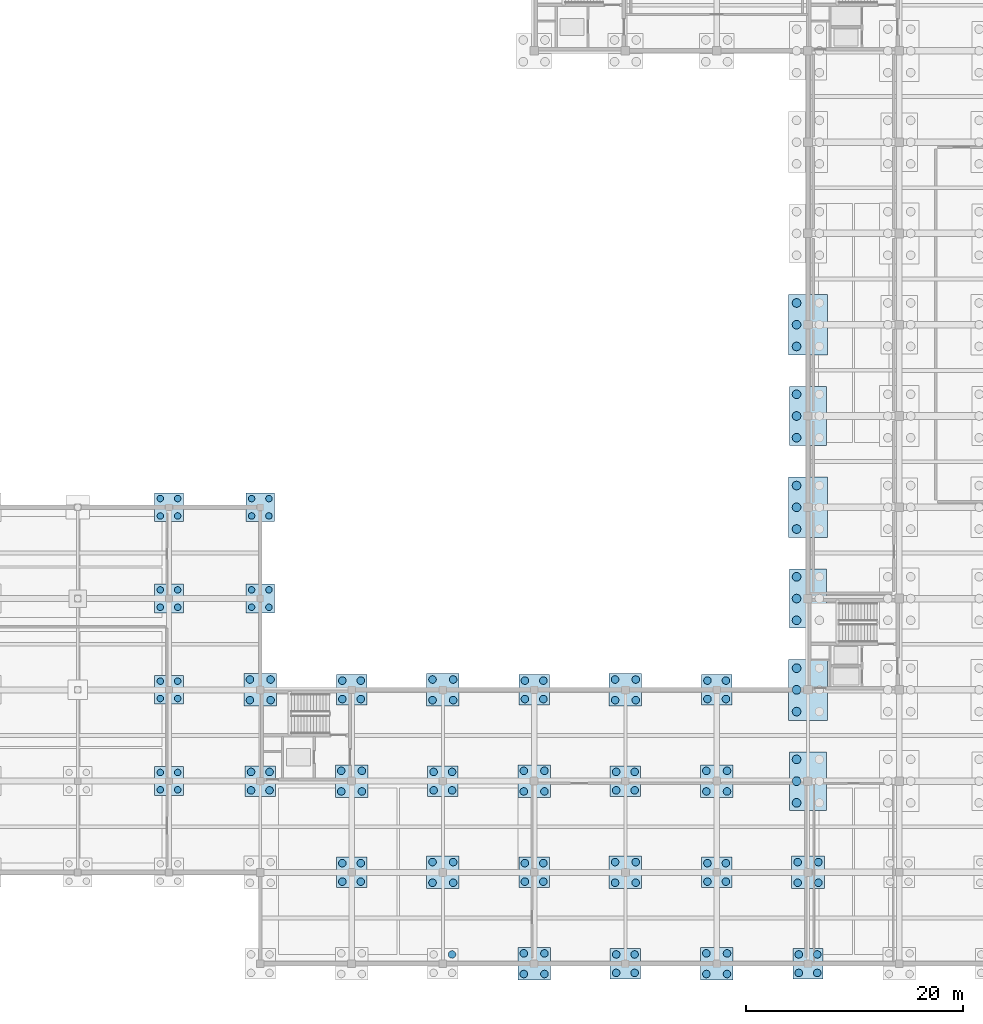
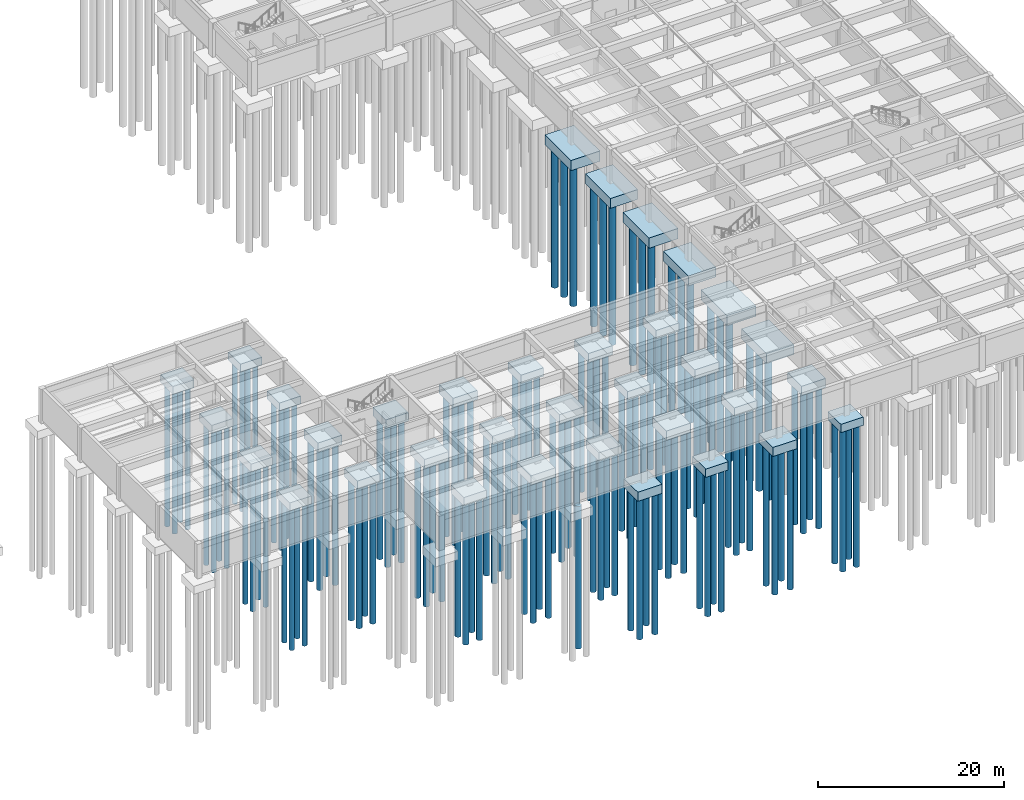
# One storey, part 2 of 33: 131 piles, 34 footings.
"""IFC4 building model written with IfcOpenShell, lengths in metres."""

import ifcopenshell
import ifcopenshell.guid

model = None  # the IFC model being written
_history = None  # IfcOwnerHistory: only IFC2X3 demands one
_inside = {}  # id of a spatial element -> (the spatial element, [elements in it])
_under = {}  # id of a project, library or spatial element -> (it, [spatial elements below it])
_declared = {}  # id of a project -> (the project, [libraries it declares])
_typed = {}  # id of a type object -> (the type object, [elements of that type])
_made_of = {}  # id of a material, layer set ... -> (it, [elements and type objects made of it])


def new_model(schema):
    """Start an empty IFC model of exactly this schema.

    Asked for "IFC4X3", IfcOpenShell would pick the latest addendum, in which some entities
    have other attributes; the version numbers below select the first issue.
    IFC2X3 requires an IfcOwnerHistory on every rooted entity: one is made here for all.
    """
    global model, _history
    if schema == "IFC4X3":
        model = ifcopenshell.file(schema_version=(4, 3, 0, 0))
    else:
        model = ifcopenshell.file(schema=schema)
    _inside.clear()
    _under.clear()
    _declared.clear()
    _typed.clear()
    _made_of.clear()
    _history = None
    if model.schema == "IFC2X3":
        org = make("IfcOrganization", Name="unknown")
        user = make(
            "IfcPersonAndOrganization",
            ThePerson=make("IfcPerson", FamilyName="unknown"),
            TheOrganization=org,
        )
        app = make(
            "IfcApplication",
            ApplicationDeveloper=org,
            Version="unknown",
            ApplicationFullName="unknown",
            ApplicationIdentifier="unknown",
        )
        _history = make(
            "IfcOwnerHistory",
            OwningUser=user,
            OwningApplication=app,
            ChangeAction="ADDED",
            CreationDate=0,
        )
    return model


def make(cls, **values):
    """One entity of the class cls with the attributes given. An attribute that is None is left unset."""
    return model.create_entity(
        cls, **{name: value for name, value in values.items() if value is not None}
    )


def rooted(cls, **values):
    """An entity with a GlobalId (a new one), such as an element, a storey or a relation."""
    return make(cls, GlobalId=ifcopenshell.guid.new(), OwnerHistory=_history, **values)


def si_unit(unit_type, name, prefix=None):
    """IfcSIUnit, for example si_unit("LENGTHUNIT", "METRE", prefix="MILLI")."""
    return make("IfcSIUnit", UnitType=unit_type, Prefix=prefix, Name=name)


def assignment(units):
    """IfcUnitAssignment: the units of a project."""
    return None if units is None else make("IfcUnitAssignment", Units=units)


def point(xyz):
    """IfcCartesianPoint."""
    return None if xyz is None else make("IfcCartesianPoint", Coordinates=xyz)


def direction(xyz):
    """IfcDirection."""
    return None if xyz is None else make("IfcDirection", DirectionRatios=xyz)


def frame(location, z_axis=None, x_axis=None):
    """IfcAxis2Placement3D, a coordinate frame: its origin and axes. An axis left out is left unset."""
    return make(
        "IfcAxis2Placement3D",
        Location=point(location),
        Axis=direction(z_axis),
        RefDirection=direction(x_axis),
    )


def frame_2d(location, x_axis=None):
    """IfcAxis2Placement2D, a coordinate frame in the plane: its origin and x axis."""
    return make(
        "IfcAxis2Placement2D", Location=point(location), RefDirection=direction(x_axis)
    )


def origin():
    """The frame at (0, 0, 0) with its axes left unset."""
    return frame((0.0, 0.0, 0.0))


def origin_2d():
    """The frame at (0, 0) in the plane with its x axis left unset."""
    return frame_2d((0.0, 0.0))


def place(relative_to, where):
    """IfcLocalPlacement: puts the frame where relative to a parent placement (None: the world)."""
    return make(
        "IfcLocalPlacement", PlacementRelTo=relative_to, RelativePlacement=where
    )


def context(
    kind, dimensions, precision=None, world=None, true_north=None, identifier=None
):
    """IfcGeometricRepresentationContext, for example the 3D "Model" context."""
    return make(
        "IfcGeometricRepresentationContext",
        ContextIdentifier=identifier,
        ContextType=kind,
        CoordinateSpaceDimension=dimensions,
        Precision=precision,
        WorldCoordinateSystem=world,
        TrueNorth=true_north,
    )


def subcontext(parent, identifier, kind, view, scale=None):
    """IfcGeometricRepresentationSubContext, for example "Body" below "Model"."""
    return make(
        "IfcGeometricRepresentationSubContext",
        ContextIdentifier=identifier,
        ContextType=kind,
        ParentContext=parent,
        TargetScale=scale,
        TargetView=view,
    )


def project(units=None, contexts=None):
    """IfcProject with its units and contexts."""
    return rooted(
        "IfcProject",
        Name="project",
        RepresentationContexts=contexts,
        UnitsInContext=assignment(units),
    )


def spatial(cls, under=None, at=None, **own):
    """A site, building, storey or space (cls), placed at a placement, below another one or the project."""
    s = rooted(cls, ObjectPlacement=at, **own)
    if under is not None:
        _under.setdefault(under.id(), (under, []))[1].append(s)
    return s


def profile(cls, at=None, kind="AREA", **sizes):
    """A parametric profile (cls). Its sizes go by their IFC names, for example OverallWidth=200.0."""
    return make(cls, ProfileType=kind, Position=at, **sizes)


def rectangle(**sizes):
    """IfcRectangleProfileDef."""
    return profile("IfcRectangleProfileDef", **sizes)


def circle(**sizes):
    """IfcCircleProfileDef."""
    return profile("IfcCircleProfileDef", **sizes)


def extrude(swept, where, along, depth):
    """IfcExtrudedAreaSolid: the profile swept, set in the frame where, extruded along a direction by depth."""
    return make(
        "IfcExtrudedAreaSolid",
        SweptArea=swept,
        Position=where,
        ExtrudedDirection=direction(along),
        Depth=depth,
    )


def shape(context_of_items, identifier, shape_type, items):
    """IfcShapeRepresentation: the items that make up one representation, for example the "Body"."""
    return make(
        "IfcShapeRepresentation",
        ContextOfItems=context_of_items,
        RepresentationIdentifier=identifier,
        RepresentationType=shape_type,
        Items=items,
    )


def material(Name=None, Category=None):
    """IfcMaterial."""
    return make("IfcMaterial", Name=Name, Category=Category)


def material_profile(
    of_material, cross_section, Name=None, Category=None, Priority=None
):
    """IfcMaterialProfile: a cross section and its material."""
    return make(
        "IfcMaterialProfile",
        Name=Name,
        Material=of_material,
        Profile=cross_section,
        Priority=Priority,
        Category=Category,
    )


def profile_set(profiles, Name=None, composite=None):
    """IfcMaterialProfileSet."""
    return make(
        "IfcMaterialProfileSet",
        Name=Name,
        MaterialProfiles=profiles,
        CompositeProfile=composite,
    )


def made_of(thing, what):
    """Note that an element or type object is made of a material, layer set ...; save() writes the relation."""
    if what is not None:
        _made_of.setdefault(what.id(), (what, []))[1].append(thing)
    return thing


def type_object(cls, material=None, **own):
    """A type object (cls), such as IfcWallType, which elements share."""
    return made_of(rooted(cls, **own), material)


def element(
    cls,
    number,
    at=None,
    inside=None,
    cuts=None,
    type_object=None,
    material=None,
    context=None,
    identifier="Body",
    shape_type=None,
    held_by="IfcProductDefinitionShape",
    body=None,
    shapes=None,
    **own,
):
    """One element of the class cls, such as IfcWall. Its Tag is "e" and its number.

    at: its placement. inside: the storey or other place that contains it. cuts: it is an
    opening in that element (IfcRelVoidsElement). A single representation is given by context,
    identifier, shape_type and body (its items); several are given by shapes. held_by: the class
    of the entity that holds the representations. save() writes the other relations.
    """
    e = rooted(cls, Tag="e%d" % number, ObjectPlacement=at, **own)
    if body is not None:
        shapes = [shape(context, identifier, shape_type, body)]
    if shapes is not None:
        e.Representation = make(held_by, Representations=shapes)
    if inside is not None:
        _inside.setdefault(inside.id(), (inside, []))[1].append(e)
    if cuts is not None:
        rooted(
            "IfcRelVoidsElement", RelatingBuildingElement=cuts, RelatedOpeningElement=e
        )
    if type_object is not None:
        _typed.setdefault(type_object.id(), (type_object, []))[1].append(e)
    return made_of(e, material)


def aggregate(whole, parts):
    """IfcRelAggregates: a whole, such as a stair, and the parts it consists of."""
    return rooted("IfcRelAggregates", RelatingObject=whole, RelatedObjects=parts)


def save(model, path):
    """Write the relations noted so far, then the file.

    IfcRelAggregates (storeys below a building ...), IfcRelContainedInSpatialStructure (elements
    in a storey), IfcRelDefinesByType, IfcRelAssociatesMaterial and IfcRelDeclares: one each for
    every whole, place, type object, material and project.
    """
    for whole, parts in _under.values():
        aggregate(whole, parts)
    for where, things in _inside.values():
        rooted(
            "IfcRelContainedInSpatialStructure",
            RelatedElements=things,
            RelatingStructure=where,
        )
    for kind, things in _typed.values():
        rooted("IfcRelDefinesByType", RelatedObjects=things, RelatingType=kind)
    for what, things in _made_of.values():
        rooted("IfcRelAssociatesMaterial", RelatedObjects=things, RelatingMaterial=what)
    for by, libraries in _declared.values():
        rooted("IfcRelDeclares", RelatingContext=by, RelatedDefinitions=libraries)
    model.write(path)


model = new_model("IFC4")

# Units and contexts
model_context = context("Model", 3, precision=1e-05, world=origin(), true_north=direction((0.0, 1.0)))
body_context = subcontext(model_context, "Body", "Model", "MODEL_VIEW")
ifc_project = project(units=[si_unit("LENGTHUNIT", "METRE"), si_unit("AREAUNIT", "SQUARE_METRE"), si_unit("VOLUMEUNIT", "CUBIC_METRE"), si_unit("PLANEANGLEUNIT", "RADIAN"), si_unit("MASSUNIT", "GRAM", prefix="KILO")], contexts=[model_context])

# Site, building, storey
site_placement = place(None, origin())
site = spatial("IfcSite", under=ifc_project, at=site_placement, CompositionType="ELEMENT")
building_placement = place(site_placement, origin())
building = spatial("IfcBuilding", under=site, at=building_placement, Name="Kveldsbrygga Polytechnic", CompositionType="ELEMENT")
storey_placement = place(building_placement, frame((0.0, 0.0, -4.419921875)))
storey = spatial("IfcBuildingStorey", under=building, at=storey_placement, Name="B1", CompositionType="ELEMENT", Elevation=-4.419921875)

# Footings
ifc_material = material(Name="Concrete C45/55", Category="concrete")
footing_type_1 = type_object("IfcFootingType", Name="PC-4P-CMP", PredefinedType="PILE_CAP", material=ifc_material)
for number, where, z_axis, x_axis, name in (
    (1, (67.199951171875, 16.800048828125, -1.4501953125), (0.0, 0.0, 1.0), (1.0, 0.0, 0.0), "Foundation FND-08-02"),
    (2, (67.199951171875, 25.199951171875, -1.4501953125), (0.0, 0.0, 1.0), (1.0, 0.0, 0.0), "Foundation FND-08-03"),
    (3, (67.199951171875, 33.60009765625, -1.4501953125), (0.0, 0.0, 1.0), (1.0, 0.0, 0.0), "Foundation FND-08-04"),
    (4, (67.199951171875, 42.0, -1.4501953125), (0.0, 0.0, 1.0), (1.0, 0.0, 0.0), "Foundation FND-08-05"),
    (5, (75.60009765625, 33.60009765625, -1.4501953125), (0.0, 0.0, 1.0), (1.0, 0.0, 0.0), "Foundation FND-09-04"),
    (6, (75.60009765625, 42.0, -1.4501953125), (0.0, 0.0, 1.0), (1.0, 0.0, 0.0), "Foundation FND-09-05"),
):
    element("IfcFooting", number, at=place(storey_placement, frame(where, z_axis=z_axis, x_axis=x_axis)), inside=storey, type_object=footing_type_1, Name=name, PredefinedType="PILE_CAP", context=body_context, shape_type="SweptSolid", body=[
        extrude(rectangle(XDim=2.64990234375, YDim=2.64990234375, at=origin_2d()), origin(), (0.0, 0.0, 1.0), 1.050048828125),
    ])
footing_type_2 = type_object("IfcFootingType", Name="PC-4P-MED", PredefinedType="PILE_CAP", material=ifc_material)
for number, where, z_axis, x_axis, name in (
    (7, (75.60009765625, 16.800048828125, -1.500244140625), (0.0, 0.0, 1.0), (1.0, 0.0, 0.0), "Foundation FND-09-02"),
    (8, (84.0, 8.39990234375, -1.500244140625), (0.0, 0.0, 1.0), (1.0, 0.0, 0.0), "Foundation FND-10-01"),
    (9, (84.0, 25.199951171875, -1.500244140625), (0.0, 0.0, 1.0), (1.0, 0.0, 0.0), "Foundation FND-10-03"),
    (10, (92.39990234375, 16.800048828125, -1.500244140625), (0.0, 0.0, 1.0), (1.0, 0.0, 0.0), "Foundation FND-11-02"),
    (11, (100.800048828125, 8.39990234375, -1.500244140625), (0.0, 0.0, 1.0), (1.0, 0.0, 0.0), "Foundation FND-12-01"),
    (12, (100.800048828125, 25.199951171875, -1.500244140625), (0.0, 0.0, 1.0), (1.0, 0.0, 0.0), "Foundation FND-12-03"),
    (13, (109.199951171875, 0.0, -1.500244140625), (0.0, 0.0, 1.0), (1.0, 0.0, 0.0), "Foundation FND-13-00"),
    (14, (109.199951171875, 16.800048828125, -1.500244140625), (0.0, 0.0, 1.0), (1.0, 0.0, 0.0), "Foundation FND-13-02"),
    (15, (117.60009765625, 8.39990234375, -1.500244140625), (0.0, 0.0, 1.0), (1.0, 0.0, 0.0), "Foundation FND-14-01"),
    (16, (117.60009765625, 25.199951171875, -1.500244140625), (0.0, 0.0, 1.0), (1.0, 0.0, 0.0), "Foundation FND-14-03"),
    (17, (126.0, 0.0, -1.500244140625), (0.0, 0.0, 1.0), (1.0, 0.0, 0.0), "Foundation FND-15-00"),
):
    element("IfcFooting", number, at=place(storey_placement, frame(where, z_axis=z_axis, x_axis=x_axis)), inside=storey, type_object=footing_type_2, Name=name, PredefinedType="PILE_CAP", context=body_context, shape_type="SweptSolid", body=[
        extrude(rectangle(XDim=2.800048828125, YDim=2.800048828125, at=origin_2d()), origin(), (0.0, 0.0, 1.0), 1.10009765625),
    ])
footing_type_3 = type_object("IfcFootingType", Name="PC-4P-STD", PredefinedType="PILE_CAP", material=ifc_material)
for number, where, z_axis, x_axis, name in (
    (18, (75.60009765625, 25.199951171875, -1.60009765625), (0.0, 0.0, 1.0), (1.0, 0.0, 0.0), "Foundation FND-09-03"),
    (19, (84.0, 16.800048828125, -1.60009765625), (0.0, 0.0, 1.0), (1.0, 0.0, 0.0), "Foundation FND-10-02"),
    (20, (92.39990234375, 8.39990234375, -1.60009765625), (0.0, 0.0, 1.0), (1.0, 0.0, 0.0), "Foundation FND-11-01"),
    (21, (92.39990234375, 25.199951171875, -1.60009765625), (0.0, 0.0, 1.0), (1.0, 0.0, 0.0), "Foundation FND-11-03"),
    (22, (100.800048828125, 0.0, -1.60009765625), (0.0, 0.0, 1.0), (1.0, 0.0, 0.0), "Foundation FND-12-00"),
    (23, (100.800048828125, 16.800048828125, -1.60009765625), (0.0, 0.0, 1.0), (1.0, 0.0, 0.0), "Foundation FND-12-02"),
    (24, (109.199951171875, 8.39990234375, -1.60009765625), (0.0, 0.0, 1.0), (1.0, 0.0, 0.0), "Foundation FND-13-01"),
    (25, (109.199951171875, 25.199951171875, -1.60009765625), (0.0, 0.0, 1.0), (1.0, 0.0, 0.0), "Foundation FND-13-03"),
    (26, (117.60009765625, 0.0, -1.60009765625), (0.0, 0.0, 1.0), (1.0, 0.0, 0.0), "Foundation FND-14-00"),
    (27, (117.60009765625, 16.800048828125, -1.60009765625), (0.0, 0.0, 1.0), (1.0, 0.0, 0.0), "Foundation FND-14-02"),
    (28, (126.0, 8.39990234375, -1.60009765625), (0.0, 0.0, 1.0), (1.0, 0.0, 0.0), "Foundation FND-15-01"),
):
    element("IfcFooting", number, at=place(storey_placement, frame(where, z_axis=z_axis, x_axis=x_axis)), inside=storey, type_object=footing_type_3, Name=name, PredefinedType="PILE_CAP", context=body_context, shape_type="SweptSolid", body=[
        extrude(rectangle(XDim=3.0, YDim=3.0, at=origin_2d()), origin(), (0.0, 0.0, 1.0), 1.199951171875),
    ])
footing_type_4 = type_object("IfcFootingType", Name="PC-6P-CORE", PredefinedType="PILE_CAP", material=ifc_material)
for number, where, z_axis, x_axis, name in (
    (29, (126.0, 25.199951171875, -1.750244140625), (0.0, 0.0, 1.0), (1.0, 0.0, 0.0), "Foundation FND-15-03"),
    (30, (126.0, 42.0, -1.750244140625), (0.0, 0.0, 1.0), (1.0, 0.0, 0.0), "Foundation FND-15-05"),
    (31, (126.0, 58.800048828125, -1.750244140625), (0.0, 0.0, 1.0), (1.0, 0.0, 0.0), "Foundation FND-15-07"),
):
    element("IfcFooting", number, at=place(storey_placement, frame(where, z_axis=z_axis, x_axis=x_axis)), inside=storey, type_object=footing_type_4, Name=name, PredefinedType="PILE_CAP", context=body_context, shape_type="SweptSolid", body=[
        extrude(rectangle(XDim=3.60009765625, YDim=5.60009765625, at=origin_2d()), origin(), (0.0, 0.0, 1.0), 1.35009765625),
    ])
footing_type_5 = type_object("IfcFootingType", Name="PC-6P-HEAVY", PredefinedType="PILE_CAP", material=ifc_material)
for number, where, z_axis, x_axis, name in (
    (32, (126.0, 16.800048828125, -1.7001953125), (0.0, 0.0, 1.0), (1.0, 0.0, 0.0), "Foundation FND-15-02"),
    (33, (126.0, 33.60009765625, -1.7001953125), (0.0, 0.0, 1.0), (1.0, 0.0, 0.0), "Foundation FND-15-04"),
    (34, (126.0, 50.39990234375, -1.7001953125), (0.0, 0.0, 1.0), (1.0, 0.0, 0.0), "Foundation FND-15-06"),
):
    element("IfcFooting", number, at=place(storey_placement, frame(where, z_axis=z_axis, x_axis=x_axis)), inside=storey, type_object=footing_type_5, Name=name, PredefinedType="PILE_CAP", context=body_context, shape_type="SweptSolid", body=[
        extrude(rectangle(XDim=3.39990234375, YDim=5.39990234375, at=origin_2d()), origin(), (0.0, 0.0, 1.0), 1.300048828125),
    ])

# Piles
ifc_material_profile_1 = material_profile(ifc_material, circle(Radius=0.300048828125, at=origin_2d()), Name="PILE D600")
ifc_profile_set_1 = profile_set([ifc_material_profile_1], Name="Concrete C45/55")
pile_type_1 = type_object("IfcPileType", Name="PILE-D600", PredefinedType="BORED", material=ifc_profile_set_1)
for number, where, z_axis, x_axis, name in (
    (35, (66.39990234375, 16.0, -1.300048828125), (0.0, 0.0, -1.0), (1.0, 0.0, 0.0), "Bored Pile PIL-08-02-1"),
    (36, (68.0, 16.0, -1.300048828125), (0.0, 0.0, -1.0), (1.0, 0.0, 0.0), "Bored Pile PIL-08-02-2"),
    (37, (66.39990234375, 17.60009765625, -1.300048828125), (0.0, 0.0, -1.0), (1.0, 0.0, 0.0), "Bored Pile PIL-08-02-3"),
    (38, (68.0, 17.60009765625, -1.300048828125), (0.0, 0.0, -1.0), (1.0, 0.0, 0.0), "Bored Pile PIL-08-02-4"),
    (39, (66.39990234375, 24.39990234375, -1.300048828125), (0.0, 0.0, -1.0), (1.0, 0.0, 0.0), "Bored Pile PIL-08-03-1"),
    (40, (68.0, 24.39990234375, -1.300048828125), (0.0, 0.0, -1.0), (1.0, 0.0, 0.0), "Bored Pile PIL-08-03-2"),
    (41, (66.39990234375, 26.0, -1.300048828125), (0.0, 0.0, -1.0), (1.0, 0.0, 0.0), "Bored Pile PIL-08-03-3"),
    (42, (68.0, 26.0, -1.300048828125), (0.0, 0.0, -1.0), (1.0, 0.0, 0.0), "Bored Pile PIL-08-03-4"),
    (43, (66.39990234375, 32.800048828125, -1.300048828125), (0.0, 0.0, -1.0), (1.0, 0.0, 0.0), "Bored Pile PIL-08-04-1"),
    (44, (68.0, 32.800048828125, -1.300048828125), (0.0, 0.0, -1.0), (1.0, 0.0, 0.0), "Bored Pile PIL-08-04-2"),
    (45, (66.39990234375, 34.39990234375, -1.300048828125), (0.0, 0.0, -1.0), (1.0, 0.0, 0.0), "Bored Pile PIL-08-04-3"),
    (46, (68.0, 34.39990234375, -1.300048828125), (0.0, 0.0, -1.0), (1.0, 0.0, 0.0), "Bored Pile PIL-08-04-4"),
    (47, (66.39990234375, 41.199951171875, -1.300048828125), (0.0, 0.0, -1.0), (1.0, 0.0, 0.0), "Bored Pile PIL-08-05-1"),
    (48, (68.0, 41.199951171875, -1.300048828125), (0.0, 0.0, -1.0), (1.0, 0.0, 0.0), "Bored Pile PIL-08-05-2"),
    (49, (66.39990234375, 42.800048828125, -1.300048828125), (0.0, 0.0, -1.0), (1.0, 0.0, 0.0), "Bored Pile PIL-08-05-3"),
    (50, (68.0, 42.800048828125, -1.300048828125), (0.0, 0.0, -1.0), (1.0, 0.0, 0.0), "Bored Pile PIL-08-05-4"),
    (51, (74.800048828125, 32.800048828125, -1.300048828125), (0.0, 0.0, -1.0), (1.0, 0.0, 0.0), "Bored Pile PIL-09-04-1"),
    (52, (76.39990234375, 32.800048828125, -1.300048828125), (0.0, 0.0, -1.0), (1.0, 0.0, 0.0), "Bored Pile PIL-09-04-2"),
    (53, (74.800048828125, 34.39990234375, -1.300048828125), (0.0, 0.0, -1.0), (1.0, 0.0, 0.0), "Bored Pile PIL-09-04-3"),
    (54, (76.39990234375, 34.39990234375, -1.300048828125), (0.0, 0.0, -1.0), (1.0, 0.0, 0.0), "Bored Pile PIL-09-04-4"),
    (55, (74.800048828125, 41.199951171875, -1.300048828125), (0.0, 0.0, -1.0), (1.0, 0.0, 0.0), "Bored Pile PIL-09-05-1"),
    (56, (76.39990234375, 41.199951171875, -1.300048828125), (0.0, 0.0, -1.0), (1.0, 0.0, 0.0), "Bored Pile PIL-09-05-2"),
    (57, (74.800048828125, 42.800048828125, -1.300048828125), (0.0, 0.0, -1.0), (1.0, 0.0, 0.0), "Bored Pile PIL-09-05-3"),
    (58, (76.39990234375, 42.800048828125, -1.300048828125), (0.0, 0.0, -1.0), (1.0, 0.0, 0.0), "Bored Pile PIL-09-05-4"),
):
    element("IfcPile", number, at=place(storey_placement, frame(where, z_axis=z_axis, x_axis=x_axis)), inside=storey, type_object=pile_type_1, Name=name, PredefinedType="BORED", context=body_context, shape_type="SweptSolid", body=[
        extrude(circle(Radius=0.300048828125, at=origin_2d()), origin(), (0.0, 0.0, 1.0), 18.780029296875),
    ])
ifc_material_profile_2 = material_profile(ifc_material, circle(Radius=0.35009765625, at=origin_2d()), Name="PILE D700")
ifc_profile_set_2 = profile_set([ifc_material_profile_2], Name="Concrete C45/55")
pile_type_2 = type_object("IfcPileType", Name="PILE-D700", PredefinedType="BORED", material=ifc_profile_set_2)
for number, where, z_axis, x_axis, name in (
    (59, (74.75, 15.949951171875, -1.35009765625), (0.0, 0.0, -1.0), (1.0, 0.0, 0.0), "Bored Pile PIL-09-02-1"),
    (60, (76.449951171875, 15.949951171875, -1.35009765625), (0.0, 0.0, -1.0), (1.0, 0.0, 0.0), "Bored Pile PIL-09-02-2"),
    (61, (74.75, 17.64990234375, -1.35009765625), (0.0, 0.0, -1.0), (1.0, 0.0, 0.0), "Bored Pile PIL-09-02-3"),
    (62, (76.449951171875, 17.64990234375, -1.35009765625), (0.0, 0.0, -1.0), (1.0, 0.0, 0.0), "Bored Pile PIL-09-02-4"),
):
    element("IfcPile", number, at=place(storey_placement, frame(where, z_axis=z_axis, x_axis=x_axis)), inside=storey, type_object=pile_type_2, Name=name, PredefinedType="BORED", context=body_context, shape_type="SweptSolid", body=[
        extrude(circle(Radius=0.35009765625, at=origin_2d()), origin(), (0.0, 0.0, 1.0), 18.72998046875),
    ])
for number, where, z_axis, x_axis, name in (
    (63, (74.64990234375, 24.25, -1.4501953125), (0.0, 0.0, -1.0), (1.0, 0.0, 0.0), "Bored Pile PIL-09-03-1"),
    (64, (76.550048828125, 24.25, -1.4501953125), (0.0, 0.0, -1.0), (1.0, 0.0, 0.0), "Bored Pile PIL-09-03-2"),
    (65, (74.64990234375, 26.14990234375, -1.4501953125), (0.0, 0.0, -1.0), (1.0, 0.0, 0.0), "Bored Pile PIL-09-03-3"),
    (66, (76.550048828125, 26.14990234375, -1.4501953125), (0.0, 0.0, -1.0), (1.0, 0.0, 0.0), "Bored Pile PIL-09-03-4"),
):
    element("IfcPile", number, at=place(storey_placement, frame(where, z_axis=z_axis, x_axis=x_axis)), inside=storey, type_object=pile_type_2, Name=name, PredefinedType="BORED", context=body_context, shape_type="SweptSolid", body=[
        extrude(circle(Radius=0.35009765625, at=origin_2d()), origin(), (0.0, 0.0, 1.0), 18.6298828125),
    ])
for number, where, z_axis, x_axis, name in (
    (67, (83.14990234375, 7.550048828125, -1.35009765625), (0.0, 0.0, -1.0), (1.0, 0.0, 0.0), "Bored Pile PIL-10-01-1"),
    (68, (84.85009765625, 7.550048828125, -1.35009765625), (0.0, 0.0, -1.0), (1.0, 0.0, 0.0), "Bored Pile PIL-10-01-2"),
    (69, (83.14990234375, 9.25, -1.35009765625), (0.0, 0.0, -1.0), (1.0, 0.0, 0.0), "Bored Pile PIL-10-01-3"),
    (70, (84.85009765625, 9.25, -1.35009765625), (0.0, 0.0, -1.0), (1.0, 0.0, 0.0), "Bored Pile PIL-10-01-4"),
):
    element("IfcPile", number, at=place(storey_placement, frame(where, z_axis=z_axis, x_axis=x_axis)), inside=storey, type_object=pile_type_2, Name=name, PredefinedType="BORED", context=body_context, shape_type="SweptSolid", body=[
        extrude(circle(Radius=0.35009765625, at=origin_2d()), origin(), (0.0, 0.0, 1.0), 18.72998046875),
    ])
for number, where, z_axis, x_axis, name in (
    (71, (83.050048828125, 15.85009765625, -1.4501953125), (0.0, 0.0, -1.0), (1.0, 0.0, 0.0), "Bored Pile PIL-10-02-1"),
    (72, (84.949951171875, 15.85009765625, -1.4501953125), (0.0, 0.0, -1.0), (1.0, 0.0, 0.0), "Bored Pile PIL-10-02-2"),
    (73, (83.050048828125, 17.75, -1.4501953125), (0.0, 0.0, -1.0), (1.0, 0.0, 0.0), "Bored Pile PIL-10-02-3"),
    (74, (84.949951171875, 17.75, -1.4501953125), (0.0, 0.0, -1.0), (1.0, 0.0, 0.0), "Bored Pile PIL-10-02-4"),
):
    element("IfcPile", number, at=place(storey_placement, frame(where, z_axis=z_axis, x_axis=x_axis)), inside=storey, type_object=pile_type_2, Name=name, PredefinedType="BORED", context=body_context, shape_type="SweptSolid", body=[
        extrude(circle(Radius=0.35009765625, at=origin_2d()), origin(), (0.0, 0.0, 1.0), 18.6298828125),
    ])
for number, where, z_axis, x_axis, name in (
    (75, (83.14990234375, 24.35009765625, -1.35009765625), (0.0, 0.0, -1.0), (1.0, 0.0, 0.0), "Bored Pile PIL-10-03-1"),
    (76, (84.85009765625, 24.35009765625, -1.35009765625), (0.0, 0.0, -1.0), (1.0, 0.0, 0.0), "Bored Pile PIL-10-03-2"),
    (77, (83.14990234375, 26.050048828125, -1.35009765625), (0.0, 0.0, -1.0), (1.0, 0.0, 0.0), "Bored Pile PIL-10-03-3"),
    (78, (84.85009765625, 26.050048828125, -1.35009765625), (0.0, 0.0, -1.0), (1.0, 0.0, 0.0), "Bored Pile PIL-10-03-4"),
    (79, (93.25, 0.85009765625, -1.35009765625), (0.0, 0.0, -1.0), (1.0, 0.0, 0.0), "Bored Pile PIL-11-00-4"),
):
    element("IfcPile", number, at=place(storey_placement, frame(where, z_axis=z_axis, x_axis=x_axis)), inside=storey, type_object=pile_type_2, Name=name, PredefinedType="BORED", context=body_context, shape_type="SweptSolid", body=[
        extrude(circle(Radius=0.35009765625, at=origin_2d()), origin(), (0.0, 0.0, 1.0), 18.72998046875),
    ])
for number, where, z_axis, x_axis, name in (
    (80, (91.449951171875, 7.449951171875, -1.4501953125), (0.0, 0.0, -1.0), (1.0, 0.0, 0.0), "Bored Pile PIL-11-01-1"),
    (81, (93.35009765625, 7.449951171875, -1.4501953125), (0.0, 0.0, -1.0), (1.0, 0.0, 0.0), "Bored Pile PIL-11-01-2"),
    (82, (91.449951171875, 9.35009765625, -1.4501953125), (0.0, 0.0, -1.0), (1.0, 0.0, 0.0), "Bored Pile PIL-11-01-3"),
    (83, (93.35009765625, 9.35009765625, -1.4501953125), (0.0, 0.0, -1.0), (1.0, 0.0, 0.0), "Bored Pile PIL-11-01-4"),
):
    element("IfcPile", number, at=place(storey_placement, frame(where, z_axis=z_axis, x_axis=x_axis)), inside=storey, type_object=pile_type_2, Name=name, PredefinedType="BORED", context=body_context, shape_type="SweptSolid", body=[
        extrude(circle(Radius=0.35009765625, at=origin_2d()), origin(), (0.0, 0.0, 1.0), 18.6298828125),
    ])
for number, where, z_axis, x_axis, name in (
    (84, (91.550048828125, 15.949951171875, -1.35009765625), (0.0, 0.0, -1.0), (1.0, 0.0, 0.0), "Bored Pile PIL-11-02-1"),
    (85, (93.25, 15.949951171875, -1.35009765625), (0.0, 0.0, -1.0), (1.0, 0.0, 0.0), "Bored Pile PIL-11-02-2"),
    (86, (91.550048828125, 17.64990234375, -1.35009765625), (0.0, 0.0, -1.0), (1.0, 0.0, 0.0), "Bored Pile PIL-11-02-3"),
    (87, (93.25, 17.64990234375, -1.35009765625), (0.0, 0.0, -1.0), (1.0, 0.0, 0.0), "Bored Pile PIL-11-02-4"),
):
    element("IfcPile", number, at=place(storey_placement, frame(where, z_axis=z_axis, x_axis=x_axis)), inside=storey, type_object=pile_type_2, Name=name, PredefinedType="BORED", context=body_context, shape_type="SweptSolid", body=[
        extrude(circle(Radius=0.35009765625, at=origin_2d()), origin(), (0.0, 0.0, 1.0), 18.72998046875),
    ])
for number, where, z_axis, x_axis, name in (
    (88, (91.449951171875, 24.25, -1.4501953125), (0.0, 0.0, -1.0), (1.0, 0.0, 0.0), "Bored Pile PIL-11-03-1"),
    (89, (93.35009765625, 24.25, -1.4501953125), (0.0, 0.0, -1.0), (1.0, 0.0, 0.0), "Bored Pile PIL-11-03-2"),
    (90, (91.449951171875, 26.14990234375, -1.4501953125), (0.0, 0.0, -1.0), (1.0, 0.0, 0.0), "Bored Pile PIL-11-03-3"),
    (91, (93.35009765625, 26.14990234375, -1.4501953125), (0.0, 0.0, -1.0), (1.0, 0.0, 0.0), "Bored Pile PIL-11-03-4"),
    (92, (99.85009765625, -0.949951171875, -1.4501953125), (0.0, 0.0, -1.0), (1.0, 0.0, 0.0), "Bored Pile PIL-12-00-1"),
    (93, (101.75, -0.949951171875, -1.4501953125), (0.0, 0.0, -1.0), (1.0, 0.0, 0.0), "Bored Pile PIL-12-00-2"),
    (94, (99.85009765625, 0.949951171875, -1.4501953125), (0.0, 0.0, -1.0), (1.0, 0.0, 0.0), "Bored Pile PIL-12-00-3"),
    (95, (101.75, 0.949951171875, -1.4501953125), (0.0, 0.0, -1.0), (1.0, 0.0, 0.0), "Bored Pile PIL-12-00-4"),
):
    element("IfcPile", number, at=place(storey_placement, frame(where, z_axis=z_axis, x_axis=x_axis)), inside=storey, type_object=pile_type_2, Name=name, PredefinedType="BORED", context=body_context, shape_type="SweptSolid", body=[
        extrude(circle(Radius=0.35009765625, at=origin_2d()), origin(), (0.0, 0.0, 1.0), 18.6298828125),
    ])
for number, where, z_axis, x_axis, name in (
    (96, (99.949951171875, 7.550048828125, -1.35009765625), (0.0, 0.0, -1.0), (1.0, 0.0, 0.0), "Bored Pile PIL-12-01-1"),
    (97, (101.64990234375, 7.550048828125, -1.35009765625), (0.0, 0.0, -1.0), (1.0, 0.0, 0.0), "Bored Pile PIL-12-01-2"),
    (98, (99.949951171875, 9.25, -1.35009765625), (0.0, 0.0, -1.0), (1.0, 0.0, 0.0), "Bored Pile PIL-12-01-3"),
    (99, (101.64990234375, 9.25, -1.35009765625), (0.0, 0.0, -1.0), (1.0, 0.0, 0.0), "Bored Pile PIL-12-01-4"),
):
    element("IfcPile", number, at=place(storey_placement, frame(where, z_axis=z_axis, x_axis=x_axis)), inside=storey, type_object=pile_type_2, Name=name, PredefinedType="BORED", context=body_context, shape_type="SweptSolid", body=[
        extrude(circle(Radius=0.35009765625, at=origin_2d()), origin(), (0.0, 0.0, 1.0), 18.72998046875),
    ])
for number, where, z_axis, x_axis, name in (
    (100, (99.85009765625, 15.85009765625, -1.4501953125), (0.0, 0.0, -1.0), (1.0, 0.0, 0.0), "Bored Pile PIL-12-02-1"),
    (101, (101.75, 15.85009765625, -1.4501953125), (0.0, 0.0, -1.0), (1.0, 0.0, 0.0), "Bored Pile PIL-12-02-2"),
    (102, (99.85009765625, 17.75, -1.4501953125), (0.0, 0.0, -1.0), (1.0, 0.0, 0.0), "Bored Pile PIL-12-02-3"),
    (103, (101.75, 17.75, -1.4501953125), (0.0, 0.0, -1.0), (1.0, 0.0, 0.0), "Bored Pile PIL-12-02-4"),
):
    element("IfcPile", number, at=place(storey_placement, frame(where, z_axis=z_axis, x_axis=x_axis)), inside=storey, type_object=pile_type_2, Name=name, PredefinedType="BORED", context=body_context, shape_type="SweptSolid", body=[
        extrude(circle(Radius=0.35009765625, at=origin_2d()), origin(), (0.0, 0.0, 1.0), 18.6298828125),
    ])
for number, where, z_axis, x_axis, name in (
    (104, (99.949951171875, 24.35009765625, -1.35009765625), (0.0, 0.0, -1.0), (1.0, 0.0, 0.0), "Bored Pile PIL-12-03-1"),
    (105, (101.64990234375, 24.35009765625, -1.35009765625), (0.0, 0.0, -1.0), (1.0, 0.0, 0.0), "Bored Pile PIL-12-03-2"),
    (106, (99.949951171875, 26.050048828125, -1.35009765625), (0.0, 0.0, -1.0), (1.0, 0.0, 0.0), "Bored Pile PIL-12-03-3"),
    (107, (101.64990234375, 26.050048828125, -1.35009765625), (0.0, 0.0, -1.0), (1.0, 0.0, 0.0), "Bored Pile PIL-12-03-4"),
    (108, (108.35009765625, -0.85009765625, -1.35009765625), (0.0, 0.0, -1.0), (1.0, 0.0, 0.0), "Bored Pile PIL-13-00-1"),
    (109, (110.050048828125, -0.85009765625, -1.35009765625), (0.0, 0.0, -1.0), (1.0, 0.0, 0.0), "Bored Pile PIL-13-00-2"),
    (110, (108.35009765625, 0.85009765625, -1.35009765625), (0.0, 0.0, -1.0), (1.0, 0.0, 0.0), "Bored Pile PIL-13-00-3"),
    (111, (110.050048828125, 0.85009765625, -1.35009765625), (0.0, 0.0, -1.0), (1.0, 0.0, 0.0), "Bored Pile PIL-13-00-4"),
):
    element("IfcPile", number, at=place(storey_placement, frame(where, z_axis=z_axis, x_axis=x_axis)), inside=storey, type_object=pile_type_2, Name=name, PredefinedType="BORED", context=body_context, shape_type="SweptSolid", body=[
        extrude(circle(Radius=0.35009765625, at=origin_2d()), origin(), (0.0, 0.0, 1.0), 18.72998046875),
    ])
for number, where, z_axis, x_axis, name in (
    (112, (108.25, 7.449951171875, -1.4501953125), (0.0, 0.0, -1.0), (1.0, 0.0, 0.0), "Bored Pile PIL-13-01-1"),
    (113, (110.14990234375, 7.449951171875, -1.4501953125), (0.0, 0.0, -1.0), (1.0, 0.0, 0.0), "Bored Pile PIL-13-01-2"),
    (114, (108.25, 9.35009765625, -1.4501953125), (0.0, 0.0, -1.0), (1.0, 0.0, 0.0), "Bored Pile PIL-13-01-3"),
    (115, (110.14990234375, 9.35009765625, -1.4501953125), (0.0, 0.0, -1.0), (1.0, 0.0, 0.0), "Bored Pile PIL-13-01-4"),
):
    element("IfcPile", number, at=place(storey_placement, frame(where, z_axis=z_axis, x_axis=x_axis)), inside=storey, type_object=pile_type_2, Name=name, PredefinedType="BORED", context=body_context, shape_type="SweptSolid", body=[
        extrude(circle(Radius=0.35009765625, at=origin_2d()), origin(), (0.0, 0.0, 1.0), 18.6298828125),
    ])
for number, where, z_axis, x_axis, name in (
    (116, (108.35009765625, 15.949951171875, -1.35009765625), (0.0, 0.0, -1.0), (1.0, 0.0, 0.0), "Bored Pile PIL-13-02-1"),
    (117, (110.050048828125, 15.949951171875, -1.35009765625), (0.0, 0.0, -1.0), (1.0, 0.0, 0.0), "Bored Pile PIL-13-02-2"),
    (118, (108.35009765625, 17.64990234375, -1.35009765625), (0.0, 0.0, -1.0), (1.0, 0.0, 0.0), "Bored Pile PIL-13-02-3"),
    (119, (110.050048828125, 17.64990234375, -1.35009765625), (0.0, 0.0, -1.0), (1.0, 0.0, 0.0), "Bored Pile PIL-13-02-4"),
):
    element("IfcPile", number, at=place(storey_placement, frame(where, z_axis=z_axis, x_axis=x_axis)), inside=storey, type_object=pile_type_2, Name=name, PredefinedType="BORED", context=body_context, shape_type="SweptSolid", body=[
        extrude(circle(Radius=0.35009765625, at=origin_2d()), origin(), (0.0, 0.0, 1.0), 18.72998046875),
    ])
for number, where, z_axis, x_axis, name in (
    (120, (108.25, 24.25, -1.4501953125), (0.0, 0.0, -1.0), (1.0, 0.0, 0.0), "Bored Pile PIL-13-03-1"),
    (121, (110.14990234375, 24.25, -1.4501953125), (0.0, 0.0, -1.0), (1.0, 0.0, 0.0), "Bored Pile PIL-13-03-2"),
    (122, (108.25, 26.14990234375, -1.4501953125), (0.0, 0.0, -1.0), (1.0, 0.0, 0.0), "Bored Pile PIL-13-03-3"),
    (123, (110.14990234375, 26.14990234375, -1.4501953125), (0.0, 0.0, -1.0), (1.0, 0.0, 0.0), "Bored Pile PIL-13-03-4"),
    (124, (116.64990234375, -0.949951171875, -1.4501953125), (0.0, 0.0, -1.0), (1.0, 0.0, 0.0), "Bored Pile PIL-14-00-1"),
    (125, (118.550048828125, -0.949951171875, -1.4501953125), (0.0, 0.0, -1.0), (1.0, 0.0, 0.0), "Bored Pile PIL-14-00-2"),
    (126, (116.64990234375, 0.949951171875, -1.4501953125), (0.0, 0.0, -1.0), (1.0, 0.0, 0.0), "Bored Pile PIL-14-00-3"),
    (127, (118.550048828125, 0.949951171875, -1.4501953125), (0.0, 0.0, -1.0), (1.0, 0.0, 0.0), "Bored Pile PIL-14-00-4"),
):
    element("IfcPile", number, at=place(storey_placement, frame(where, z_axis=z_axis, x_axis=x_axis)), inside=storey, type_object=pile_type_2, Name=name, PredefinedType="BORED", context=body_context, shape_type="SweptSolid", body=[
        extrude(circle(Radius=0.35009765625, at=origin_2d()), origin(), (0.0, 0.0, 1.0), 18.6298828125),
    ])
for number, where, z_axis, x_axis, name in (
    (128, (116.75, 7.550048828125, -1.35009765625), (0.0, 0.0, -1.0), (1.0, 0.0, 0.0), "Bored Pile PIL-14-01-1"),
    (129, (118.449951171875, 7.550048828125, -1.35009765625), (0.0, 0.0, -1.0), (1.0, 0.0, 0.0), "Bored Pile PIL-14-01-2"),
    (130, (116.75, 9.25, -1.35009765625), (0.0, 0.0, -1.0), (1.0, 0.0, 0.0), "Bored Pile PIL-14-01-3"),
    (131, (118.449951171875, 9.25, -1.35009765625), (0.0, 0.0, -1.0), (1.0, 0.0, 0.0), "Bored Pile PIL-14-01-4"),
):
    element("IfcPile", number, at=place(storey_placement, frame(where, z_axis=z_axis, x_axis=x_axis)), inside=storey, type_object=pile_type_2, Name=name, PredefinedType="BORED", context=body_context, shape_type="SweptSolid", body=[
        extrude(circle(Radius=0.35009765625, at=origin_2d()), origin(), (0.0, 0.0, 1.0), 18.72998046875),
    ])
for number, where, z_axis, x_axis, name in (
    (132, (116.64990234375, 15.85009765625, -1.4501953125), (0.0, 0.0, -1.0), (1.0, 0.0, 0.0), "Bored Pile PIL-14-02-1"),
    (133, (118.550048828125, 15.85009765625, -1.4501953125), (0.0, 0.0, -1.0), (1.0, 0.0, 0.0), "Bored Pile PIL-14-02-2"),
    (134, (116.64990234375, 17.75, -1.4501953125), (0.0, 0.0, -1.0), (1.0, 0.0, 0.0), "Bored Pile PIL-14-02-3"),
    (135, (118.550048828125, 17.75, -1.4501953125), (0.0, 0.0, -1.0), (1.0, 0.0, 0.0), "Bored Pile PIL-14-02-4"),
):
    element("IfcPile", number, at=place(storey_placement, frame(where, z_axis=z_axis, x_axis=x_axis)), inside=storey, type_object=pile_type_2, Name=name, PredefinedType="BORED", context=body_context, shape_type="SweptSolid", body=[
        extrude(circle(Radius=0.35009765625, at=origin_2d()), origin(), (0.0, 0.0, 1.0), 18.6298828125),
    ])
for number, where, z_axis, x_axis, name in (
    (136, (116.75, 24.35009765625, -1.35009765625), (0.0, 0.0, -1.0), (1.0, 0.0, 0.0), "Bored Pile PIL-14-03-1"),
    (137, (118.449951171875, 24.35009765625, -1.35009765625), (0.0, 0.0, -1.0), (1.0, 0.0, 0.0), "Bored Pile PIL-14-03-2"),
    (138, (116.75, 26.050048828125, -1.35009765625), (0.0, 0.0, -1.0), (1.0, 0.0, 0.0), "Bored Pile PIL-14-03-3"),
    (139, (118.449951171875, 26.050048828125, -1.35009765625), (0.0, 0.0, -1.0), (1.0, 0.0, 0.0), "Bored Pile PIL-14-03-4"),
    (140, (125.14990234375, -0.85009765625, -1.35009765625), (0.0, 0.0, -1.0), (1.0, 0.0, 0.0), "Bored Pile PIL-15-00-1"),
    (141, (126.85009765625, -0.85009765625, -1.35009765625), (0.0, 0.0, -1.0), (1.0, 0.0, 0.0), "Bored Pile PIL-15-00-2"),
    (142, (125.14990234375, 0.85009765625, -1.35009765625), (0.0, 0.0, -1.0), (1.0, 0.0, 0.0), "Bored Pile PIL-15-00-3"),
    (143, (126.85009765625, 0.85009765625, -1.35009765625), (0.0, 0.0, -1.0), (1.0, 0.0, 0.0), "Bored Pile PIL-15-00-4"),
):
    element("IfcPile", number, at=place(storey_placement, frame(where, z_axis=z_axis, x_axis=x_axis)), inside=storey, type_object=pile_type_2, Name=name, PredefinedType="BORED", context=body_context, shape_type="SweptSolid", body=[
        extrude(circle(Radius=0.35009765625, at=origin_2d()), origin(), (0.0, 0.0, 1.0), 18.72998046875),
    ])
for number, where, z_axis, x_axis, name in (
    (144, (125.050048828125, 7.449951171875, -1.4501953125), (0.0, 0.0, -1.0), (1.0, 0.0, 0.0), "Bored Pile PIL-15-01-1"),
    (145, (126.949951171875, 7.449951171875, -1.4501953125), (0.0, 0.0, -1.0), (1.0, 0.0, 0.0), "Bored Pile PIL-15-01-2"),
    (146, (125.050048828125, 9.35009765625, -1.4501953125), (0.0, 0.0, -1.0), (1.0, 0.0, 0.0), "Bored Pile PIL-15-01-3"),
    (147, (126.949951171875, 9.35009765625, -1.4501953125), (0.0, 0.0, -1.0), (1.0, 0.0, 0.0), "Bored Pile PIL-15-01-4"),
):
    element("IfcPile", number, at=place(storey_placement, frame(where, z_axis=z_axis, x_axis=x_axis)), inside=storey, type_object=pile_type_2, Name=name, PredefinedType="BORED", context=body_context, shape_type="SweptSolid", body=[
        extrude(circle(Radius=0.35009765625, at=origin_2d()), origin(), (0.0, 0.0, 1.0), 18.6298828125),
    ])
ifc_material_profile_3 = material_profile(ifc_material, circle(Radius=0.39990234375, at=origin_2d()), Name="PILE D800")
ifc_profile_set_3 = profile_set([ifc_material_profile_3], Name="Concrete C45/55")
pile_type_3 = type_object("IfcPileType", Name="PILE-D800", PredefinedType="BORED", material=ifc_profile_set_3)
for number, where, z_axis, x_axis, name in (
    (148, (124.949951171875, 14.800048828125, -1.550048828125), (0.0, 0.0, -1.0), (1.0, 0.0, 0.0), "Bored Pile PIL-15-02-1"),
    (149, (124.949951171875, 16.800048828125, -1.550048828125), (0.0, 0.0, -1.0), (1.0, 0.0, 0.0), "Bored Pile PIL-15-02-3"),
    (150, (124.949951171875, 18.800048828125, -1.550048828125), (0.0, 0.0, -1.0), (1.0, 0.0, 0.0), "Bored Pile PIL-15-02-5"),
):
    element("IfcPile", number, at=place(storey_placement, frame(where, z_axis=z_axis, x_axis=x_axis)), inside=storey, type_object=pile_type_3, Name=name, PredefinedType="BORED", context=body_context, shape_type="SweptSolid", body=[
        extrude(circle(Radius=0.39990234375, at=origin_2d()), origin(), (0.0, 0.0, 1.0), 18.530029296875),
    ])
for number, where, z_axis, x_axis, name in (
    (151, (124.949951171875, 23.199951171875, -1.60009765625), (0.0, 0.0, -1.0), (1.0, 0.0, 0.0), "Bored Pile PIL-15-03-1"),
    (152, (124.949951171875, 25.199951171875, -1.60009765625), (0.0, 0.0, -1.0), (1.0, 0.0, 0.0), "Bored Pile PIL-15-03-3"),
    (153, (124.949951171875, 27.199951171875, -1.60009765625), (0.0, 0.0, -1.0), (1.0, 0.0, 0.0), "Bored Pile PIL-15-03-5"),
):
    element("IfcPile", number, at=place(storey_placement, frame(where, z_axis=z_axis, x_axis=x_axis)), inside=storey, type_object=pile_type_3, Name=name, PredefinedType="BORED", context=body_context, shape_type="SweptSolid", body=[
        extrude(circle(Radius=0.39990234375, at=origin_2d()), origin(), (0.0, 0.0, 1.0), 18.47998046875),
    ])
for number, where, z_axis, x_axis, name in (
    (154, (124.949951171875, 31.60009765625, -1.550048828125), (0.0, 0.0, -1.0), (1.0, 0.0, 0.0), "Bored Pile PIL-15-04-1"),
    (155, (124.949951171875, 33.60009765625, -1.550048828125), (0.0, 0.0, -1.0), (1.0, 0.0, 0.0), "Bored Pile PIL-15-04-3"),
    (156, (124.949951171875, 35.60009765625, -1.550048828125), (0.0, 0.0, -1.0), (1.0, 0.0, 0.0), "Bored Pile PIL-15-04-5"),
):
    element("IfcPile", number, at=place(storey_placement, frame(where, z_axis=z_axis, x_axis=x_axis)), inside=storey, type_object=pile_type_3, Name=name, PredefinedType="BORED", context=body_context, shape_type="SweptSolid", body=[
        extrude(circle(Radius=0.39990234375, at=origin_2d()), origin(), (0.0, 0.0, 1.0), 18.530029296875),
    ])
for number, where, z_axis, x_axis, name in (
    (157, (124.949951171875, 40.0, -1.60009765625), (0.0, 0.0, -1.0), (1.0, 0.0, 0.0), "Bored Pile PIL-15-05-1"),
    (158, (124.949951171875, 42.0, -1.60009765625), (0.0, 0.0, -1.0), (1.0, 0.0, 0.0), "Bored Pile PIL-15-05-3"),
    (159, (124.949951171875, 44.0, -1.60009765625), (0.0, 0.0, -1.0), (1.0, 0.0, 0.0), "Bored Pile PIL-15-05-5"),
):
    element("IfcPile", number, at=place(storey_placement, frame(where, z_axis=z_axis, x_axis=x_axis)), inside=storey, type_object=pile_type_3, Name=name, PredefinedType="BORED", context=body_context, shape_type="SweptSolid", body=[
        extrude(circle(Radius=0.39990234375, at=origin_2d()), origin(), (0.0, 0.0, 1.0), 18.47998046875),
    ])
for number, where, z_axis, x_axis, name in (
    (160, (124.949951171875, 48.39990234375, -1.550048828125), (0.0, 0.0, -1.0), (1.0, 0.0, 0.0), "Bored Pile PIL-15-06-1"),
    (161, (124.949951171875, 50.39990234375, -1.550048828125), (0.0, 0.0, -1.0), (1.0, 0.0, 0.0), "Bored Pile PIL-15-06-3"),
    (162, (124.949951171875, 52.39990234375, -1.550048828125), (0.0, 0.0, -1.0), (1.0, 0.0, 0.0), "Bored Pile PIL-15-06-5"),
):
    element("IfcPile", number, at=place(storey_placement, frame(where, z_axis=z_axis, x_axis=x_axis)), inside=storey, type_object=pile_type_3, Name=name, PredefinedType="BORED", context=body_context, shape_type="SweptSolid", body=[
        extrude(circle(Radius=0.39990234375, at=origin_2d()), origin(), (0.0, 0.0, 1.0), 18.530029296875),
    ])
for number, where, z_axis, x_axis, name in (
    (163, (124.949951171875, 56.800048828125, -1.60009765625), (0.0, 0.0, -1.0), (1.0, 0.0, 0.0), "Bored Pile PIL-15-07-1"),
    (164, (124.949951171875, 58.800048828125, -1.60009765625), (0.0, 0.0, -1.0), (1.0, 0.0, 0.0), "Bored Pile PIL-15-07-3"),
    (165, (124.949951171875, 60.800048828125, -1.60009765625), (0.0, 0.0, -1.0), (1.0, 0.0, 0.0), "Bored Pile PIL-15-07-5"),
):
    element("IfcPile", number, at=place(storey_placement, frame(where, z_axis=z_axis, x_axis=x_axis)), inside=storey, type_object=pile_type_3, Name=name, PredefinedType="BORED", context=body_context, shape_type="SweptSolid", body=[
        extrude(circle(Radius=0.39990234375, at=origin_2d()), origin(), (0.0, 0.0, 1.0), 18.47998046875),
    ])

save(model, "model.ifc")
